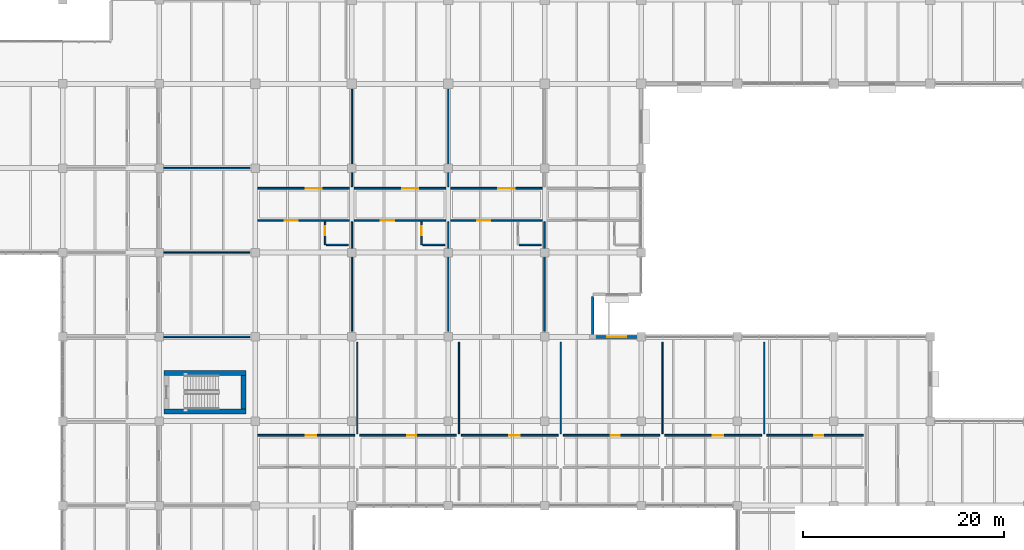
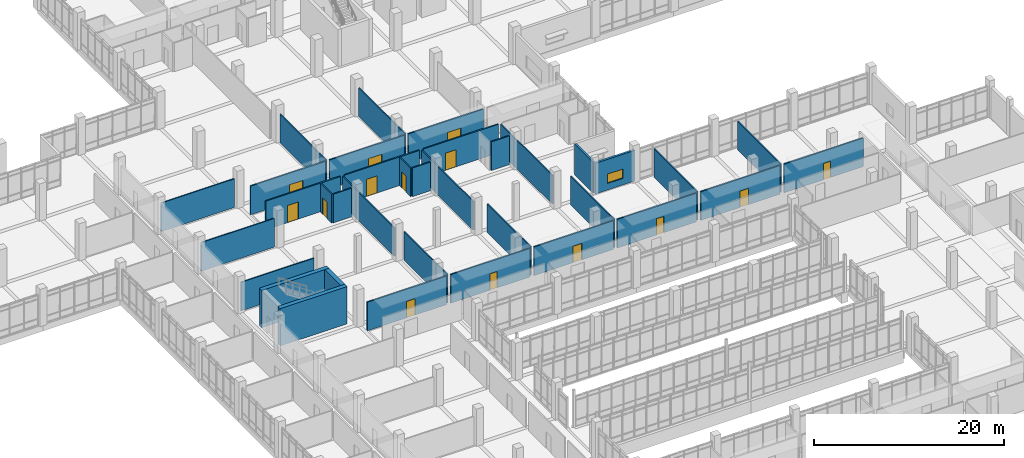
# One storey, part 130 of 152: 35 walls, 14 doors, 1 window, 15 openings.
"""IFC4 building model written with IfcOpenShell, lengths in metres."""

from ifc_helpers import new_model, si_unit, direction, frame, frame_2d, origin, place, context, subcontext, project, spatial, rectangle, extrude, material, layer, layer_set, type_object, element, fill, save


model = new_model("IFC4")

# Units and contexts
model_context = context("Model", 3, precision=1e-05, world=origin(), true_north=direction((0.0, 1.0)))
body_context = subcontext(model_context, "Body", "Model", "MODEL_VIEW")
ifc_project = project(units=[si_unit("LENGTHUNIT", "METRE"), si_unit("AREAUNIT", "SQUARE_METRE"), si_unit("VOLUMEUNIT", "CUBIC_METRE"), si_unit("PLANEANGLEUNIT", "RADIAN"), si_unit("MASSUNIT", "GRAM", prefix="KILO")], contexts=[model_context])

# Site, building, storey
site_placement = place(None, origin())
site = spatial("IfcSite", under=ifc_project, at=site_placement, CompositionType="ELEMENT")
building_placement = place(site_placement, origin())
building = spatial("IfcBuilding", under=site, at=building_placement, Name="Oolite Switchyard Hospital", CompositionType="ELEMENT")
storey_placement = place(building_placement, frame((0.0, 0.0, 5.10009765625)))
storey = spatial("IfcBuildingStorey", under=building, at=storey_placement, Name="L01", CompositionType="ELEMENT", Elevation=5.10009765625)

# Wall
ifc_material_1 = material(Name="Precast oolitic limestone architectural concrete C40/50", Category="masonry")
ifc_layer_1 = layer(ifc_material_1, 0.260009765625)
ifc_layer_set_1 = layer_set([ifc_layer_1], Name="WAL-EXT-260")
wall_type_1 = type_object("IfcWallType", Name="WAL-EXT-260", PredefinedType="SOLIDWALL", material=ifc_layer_set_1)
wall_1_placement = place(storey_placement, frame((168.0, 79.639892578125, 0.0), z_axis=(0.0, 0.0, 1.0), x_axis=(0.0, -1.0, 0.0)))
element("IfcWall", 1, at=wall_1_placement, inside=storey, type_object=wall_type_1, Name="L01 Exterior Spandrel Wall 118", PredefinedType="SOLIDWALL", context=body_context, shape_type="SweptSolid", body=[
    extrude(rectangle(XDim=3.8798828125, YDim=0.260009765625, at=frame_2d((1.93994140625, 0.0))), origin(), (0.0, 0.0, 1.0), 3.93994140625),
])

# Wall, opening, window
ifc_layer_2 = layer(ifc_material_1, 0.280029296875)
ifc_layer_set_2 = layer_set([ifc_layer_2], Name="WAL-EXT-280")
wall_type_2 = type_object("IfcWallType", Name="WAL-EXT-280", PredefinedType="SOLIDWALL", material=ifc_layer_set_2)
wall_2_placement = place(storey_placement, frame((168.0, 75.60009765625, 0.0), z_axis=(0.0, 0.0, 1.0), x_axis=(1.0, 0.0, 0.0)))
wall_2 = element("IfcWall", 2, at=wall_2_placement, inside=storey, type_object=wall_type_2, Name="L01 Exterior Spandrel Wall 84", PredefinedType="SOLIDWALL", context=body_context, shape_type="SweptSolid", body=[
    extrude(rectangle(XDim=4.800048828125, YDim=0.280029296875, at=frame_2d((2.39990234375, 0.0))), origin(), (0.0, 0.0, 1.0), 3.93994140625),
])
opening_1_placement = place(wall_2_placement, frame((1.449951171875, 0.0, 0.85009765625)))
opening_1 = element("IfcOpeningElement", 3, at=opening_1_placement, cuts=wall_2, Name="Opening WN-0029", PredefinedType="OPENING", context=body_context, shape_type="SweptSolid", body=[
    extrude(rectangle(XDim=1.89990234375, YDim=1.199951171875, at=frame_2d((0.949951171875, 0.60009765625))), frame((0.0, 0.14990234375, 0.0), z_axis=(0.0, -1.0, 0.0), x_axis=(1.0, 0.0, 0.0)), (0.0, 0.0, 1.0), 0.300048828125),
])
ifc_material_2 = material(Name="Thermally broken aluminum frame with laminated impact glazing", Category="aluminium")
window_type = type_object("IfcWindowType", Name="WIN-IMP-190X120", PartitioningType="SINGLE_PANEL", PredefinedType="WINDOW", material=ifc_material_2)
window_placement = place(opening_1_placement, origin())
window = element("IfcWindow", 4, at=window_placement, inside=storey, type_object=window_type, Name="L01 Hurricane Impact Window WN-0029", OverallHeight=1.199951171875, OverallWidth=1.89990234375, PartitioningType="SINGLE_PANEL", PredefinedType="WINDOW", context=body_context, shape_type="SweptSolid", body=[
    extrude(rectangle(XDim=1.89990234375, YDim=1.199951171875, at=frame_2d((0.949951171875, 0.60009765625))), frame((0.0, 0.030029296875, 0.0), z_axis=(0.0, -1.0, 0.0), x_axis=(1.0, 0.0, 0.0)), (0.0, 0.0, 1.0), 0.06005859375),
])
fill(opening_1, window)

# Walls
ifc_material_3 = material(Name="Moisture-resistant gypsum board on steel studs", Category="steel")
ifc_layer_3 = layer(ifc_material_3, 0.135009765625)
ifc_layer_set_3 = layer_set([ifc_layer_3], Name="WAL-PART-135")
wall_type_3 = type_object("IfcWallType", Name="WAL-PART-135", PredefinedType="PARTITIONING", material=ifc_layer_set_3)
for number, where, z_axis, x_axis, name in (
    (5, (124.949951171875, 75.60009765625, 0.0), (0.0, 0.0, 1.0), (1.0, 0.0, 0.0), "L01 Interior Partition 294"),
    (6, (124.949951171875, 84.0, 0.0), (0.0, 0.0, 1.0), (1.0, 0.0, 0.0), "L01 Interior Partition 298"),
    (7, (124.949951171875, 92.39990234375, 0.0), (0.0, 0.0, 1.0), (1.0, 0.0, 0.0), "L01 Interior Partition 302"),
):
    element("IfcWall", number, at=place(storey_placement, frame(where, z_axis=z_axis, x_axis=x_axis)), inside=storey, type_object=wall_type_3, Name=name, PredefinedType="PARTITIONING", context=body_context, shape_type="SweptSolid", body=[
        extrude(rectangle(XDim=8.900146484375, YDim=0.135009765625, at=frame_2d((4.4501953125, 0.0))), origin(), (0.0, 0.0, 1.0), 3.679931640625),
    ])
wall_3_placement = place(storey_placement, frame((144.0, 76.14990234375, 0.0), z_axis=(0.0, 0.0, 1.0), x_axis=(0.0, 1.0, 0.0)))
element("IfcWall", 8, at=wall_3_placement, inside=storey, type_object=wall_type_3, Name="L01 Interior Partition 310", PredefinedType="PARTITIONING", context=body_context, shape_type="SweptSolid", body=[
    extrude(rectangle(XDim=10.900146484375, YDim=0.135009765625, at=frame_2d((5.4501953125, 0.0))), origin(), (0.0, 0.0, 1.0), 3.679931640625),
])
wall_4_placement = place(storey_placement, frame((144.0, 90.550048828125, 0.0), z_axis=(0.0, 0.0, 1.0), x_axis=(0.0, 1.0, 0.0)))
element("IfcWall", 9, at=wall_4_placement, inside=storey, type_object=wall_type_3, Name="L01 Interior Partition 312", PredefinedType="PARTITIONING", context=body_context, shape_type="SweptSolid", body=[
    extrude(rectangle(XDim=9.699951171875, YDim=0.135009765625, at=frame_2d((4.85009765625, 0.0))), origin(), (0.0, 0.0, 1.0), 3.679931640625),
])
wall_5_placement = place(storey_placement, frame((153.60009765625, 76.14990234375, 0.0), z_axis=(0.0, 0.0, 1.0), x_axis=(0.0, 1.0, 0.0)))
element("IfcWall", 10, at=wall_5_placement, inside=storey, type_object=wall_type_3, Name="L01 Interior Partition 316", PredefinedType="PARTITIONING", context=body_context, shape_type="SweptSolid", body=[
    extrude(rectangle(XDim=10.900146484375, YDim=0.135009765625, at=frame_2d((5.4501953125, 0.0))), origin(), (0.0, 0.0, 1.0), 3.679931640625),
])
wall_6_placement = place(storey_placement, frame((153.60009765625, 90.550048828125, 0.0), z_axis=(0.0, 0.0, 1.0), x_axis=(0.0, 1.0, 0.0)))
element("IfcWall", 11, at=wall_6_placement, inside=storey, type_object=wall_type_3, Name="L01 Interior Partition 318", PredefinedType="PARTITIONING", context=body_context, shape_type="SweptSolid", body=[
    extrude(rectangle(XDim=9.699951171875, YDim=0.135009765625, at=frame_2d((4.85009765625, 0.0))), origin(), (0.0, 0.0, 1.0), 3.679931640625),
])
wall_7_placement = place(storey_placement, frame((163.199951171875, 76.14990234375, 0.0), z_axis=(0.0, 0.0, 1.0), x_axis=(0.0, 1.0, 0.0)))
element("IfcWall", 12, at=wall_7_placement, inside=storey, type_object=wall_type_3, Name="L01 Interior Partition 322", PredefinedType="PARTITIONING", context=body_context, shape_type="SweptSolid", body=[
    extrude(rectangle(XDim=10.900146484375, YDim=0.135009765625, at=frame_2d((5.4501953125, 0.0))), origin(), (0.0, 0.0, 1.0), 3.679931640625),
])
for number, where, z_axis, x_axis, name in (
    (13, (144.532958984375, 65.949951171875, 0.0), (0.0, 0.0, 1.0), (0.0, 1.0, 0.0), "L01 Interior Partition 392"),
    (14, (154.666015625, 65.949951171875, 0.0), (0.0, 0.0, 1.0), (0.0, 1.0, 0.0), "L01 Interior Partition 396"),
    (15, (164.799072265625, 65.949951171875, 0.0), (0.0, 0.0, 1.0), (0.0, 1.0, 0.0), "L01 Interior Partition 400"),
    (16, (174.931884765625, 65.949951171875, 0.0), (0.0, 0.0, 1.0), (0.0, 1.0, 0.0), "L01 Interior Partition 404"),
    (17, (185.06494140625, 65.949951171875, 0.0), (0.0, 0.0, 1.0), (0.0, 1.0, 0.0), "L01 Interior Partition 408"),
):
    element("IfcWall", number, at=place(storey_placement, frame(where, z_axis=z_axis, x_axis=x_axis)), inside=storey, type_object=wall_type_3, Name=name, PredefinedType="PARTITIONING", context=body_context, shape_type="SweptSolid", body=[
        extrude(rectangle(XDim=9.10009765625, YDim=0.135009765625, at=frame_2d((4.550048828125, 0.0))), origin(), (0.0, 0.0, 1.0), 3.679931640625),
    ])

# Wall, opening, door
ifc_layer_4 = layer(ifc_material_3, 0.14990234375)
ifc_layer_set_4 = layer_set([ifc_layer_4], Name="WAL-PART-150")
wall_type_4 = type_object("IfcWallType", Name="WAL-PART-150", PredefinedType="PARTITIONING", material=ifc_layer_set_4)
wall_8_placement = place(storey_placement, frame((141.35009765625, 84.75, 0.0), z_axis=(0.0, 0.0, 1.0), x_axis=(0.0, 1.0, 0.0)))
wall_8 = element("IfcWall", 18, at=wall_8_placement, inside=storey, type_object=wall_type_4, Name="L01 Interior Partition 304", PredefinedType="PARTITIONING", context=body_context, shape_type="SweptSolid", body=[
    extrude(rectangle(XDim=2.300048828125, YDim=0.14990234375, at=frame_2d((1.14990234375, 0.0))), origin(), (0.0, 0.0, 1.0), 3.679931640625),
])
opening_2_placement = place(wall_8_placement, frame((0.949951171875, 0.0, 0.0)))
opening_2 = element("IfcOpeningElement", 19, at=opening_2_placement, cuts=wall_8, Name="Opening D-0176", PredefinedType="OPENING", context=body_context, shape_type="SweptSolid", body=[
    extrude(rectangle(XDim=0.89990234375, YDim=2.10009765625, at=frame_2d((0.449951171875, 1.050048828125))), frame((0.0, 0.0849609375, 0.0), z_axis=(0.0, -1.0, 0.0), x_axis=(1.0, 0.0, 0.0)), (0.0, 0.0, 1.0), 0.169921875),
])
ifc_material_4 = material(Name="Solid-core antimicrobial hardwood leaf in steel frame", Category="steel")
door_type_1 = type_object("IfcDoorType", Name="DR-BATH-090X210", OperationType="NOTDEFINED", PredefinedType="DOOR", material=ifc_material_4)
door_1_placement = place(opening_2_placement, origin())
door_1 = element("IfcDoor", 20, at=door_1_placement, inside=storey, type_object=door_type_1, Name="L01 Interior Door D-0176", OperationType="SINGLE_SWING_RIGHT", OverallHeight=2.10009765625, OverallWidth=0.89990234375, PredefinedType="DOOR", context=body_context, shape_type="SweptSolid", body=[
    extrude(rectangle(XDim=0.89990234375, YDim=2.10009765625, at=frame_2d((0.449951171875, 1.050048828125))), frame((0.0, 0.02490234375, 0.0), z_axis=(0.0, -1.0, 0.0), x_axis=(1.0, 0.0, 0.0)), (0.0, 0.0, 1.0), 0.050048828125),
])
fill(opening_2, door_1)

# Wall
wall_9_placement = place(storey_placement, frame((141.449951171875, 84.75, 0.0), z_axis=(0.0, 0.0, 1.0), x_axis=(1.0, 0.0, 0.0)))
element("IfcWall", 21, at=wall_9_placement, inside=storey, type_object=wall_type_4, Name="L01 Interior Partition 305", PredefinedType="PARTITIONING", context=body_context, shape_type="SweptSolid", body=[
    extrude(rectangle(XDim=2.199951171875, YDim=0.14990234375, at=frame_2d((1.10009765625, 0.0))), origin(), (0.0, 0.0, 1.0), 3.679931640625),
])

# Wall, opening, door
wall_10_placement = place(storey_placement, frame((150.949951171875, 84.75, 0.0), z_axis=(0.0, 0.0, 1.0), x_axis=(0.0, 1.0, 0.0)))
wall_10 = element("IfcWall", 22, at=wall_10_placement, inside=storey, type_object=wall_type_4, Name="L01 Interior Partition 308", PredefinedType="PARTITIONING", context=body_context, shape_type="SweptSolid", body=[
    extrude(rectangle(XDim=2.300048828125, YDim=0.14990234375, at=frame_2d((1.14990234375, 0.0))), origin(), (0.0, 0.0, 1.0), 3.679931640625),
])
opening_3_placement = place(wall_10_placement, frame((0.949951171875, 0.0, 0.0)))
opening_3 = element("IfcOpeningElement", 23, at=opening_3_placement, cuts=wall_10, Name="Opening D-0179", PredefinedType="OPENING", context=body_context, shape_type="SweptSolid", body=[
    extrude(rectangle(XDim=0.89990234375, YDim=2.10009765625, at=frame_2d((0.449951171875, 1.050048828125))), frame((0.0, 0.0849609375, 0.0), z_axis=(0.0, -1.0, 0.0), x_axis=(1.0, 0.0, 0.0)), (0.0, 0.0, 1.0), 0.169921875),
])
door_2_placement = place(opening_3_placement, origin())
door_2 = element("IfcDoor", 24, at=door_2_placement, inside=storey, type_object=door_type_1, Name="L01 Interior Door D-0179", OperationType="SINGLE_SWING_LEFT", OverallHeight=2.10009765625, OverallWidth=0.89990234375, PredefinedType="DOOR", context=body_context, shape_type="SweptSolid", body=[
    extrude(rectangle(XDim=0.89990234375, YDim=2.10009765625, at=frame_2d((0.449951171875, 1.050048828125))), frame((0.0, 0.02490234375, 0.0), z_axis=(0.0, -1.0, 0.0), x_axis=(1.0, 0.0, 0.0)), (0.0, 0.0, 1.0), 0.050048828125),
])
fill(opening_3, door_2)

# Walls
wall_11_placement = place(storey_placement, frame((151.050048828125, 84.75, 0.0), z_axis=(0.0, 0.0, 1.0), x_axis=(1.0, 0.0, 0.0)))
element("IfcWall", 25, at=wall_11_placement, inside=storey, type_object=wall_type_4, Name="L01 Interior Partition 309", PredefinedType="PARTITIONING", context=body_context, shape_type="SweptSolid", body=[
    extrude(rectangle(XDim=2.199951171875, YDim=0.14990234375, at=frame_2d((1.10009765625, 0.0))), origin(), (0.0, 0.0, 1.0), 3.679931640625),
])
wall_12_placement = place(storey_placement, frame((160.64990234375, 84.75, 0.0), z_axis=(0.0, 0.0, 1.0), x_axis=(1.0, 0.0, 0.0)))
element("IfcWall", 26, at=wall_12_placement, inside=storey, type_object=wall_type_4, Name="L01 Interior Partition 315", PredefinedType="PARTITIONING", context=body_context, shape_type="SweptSolid", body=[
    extrude(rectangle(XDim=2.2001953125, YDim=0.14990234375, at=frame_2d((1.10009765625, 0.0))), origin(), (0.0, 0.0, 1.0), 3.679931640625),
])

# Wall, opening, door
ifc_layer_5 = layer(ifc_material_3, 0.1650390625)
ifc_layer_set_5 = layer_set([ifc_layer_5], Name="WAL-PART-165")
wall_type_5 = type_object("IfcWallType", Name="WAL-PART-165", PredefinedType="PARTITIONING", material=ifc_layer_set_5)
wall_13_placement = place(storey_placement, frame((134.64990234375, 87.199951171875, 0.0), z_axis=(0.0, 0.0, 1.0), x_axis=(1.0, 0.0, 0.0)))
wall_13 = element("IfcWall", 27, at=wall_13_placement, inside=storey, type_object=wall_type_5, Name="L01 Interior Partition 303", PredefinedType="PARTITIONING", context=body_context, shape_type="SweptSolid", body=[
    extrude(rectangle(XDim=9.10009765625, YDim=0.1650390625, at=frame_2d((4.550048828125, 0.0))), origin(), (0.0, 0.0, 1.0), 3.679931640625),
])
opening_4_placement = place(wall_13_placement, frame((2.64990234375, 0.0, 0.0)))
opening_4 = element("IfcOpeningElement", 28, at=opening_4_placement, cuts=wall_13, Name="Opening D-0175", PredefinedType="OPENING", context=body_context, shape_type="SweptSolid", body=[
    extrude(rectangle(XDim=1.300048828125, YDim=2.199951171875, at=frame_2d((0.64990234375, 1.10009765625))), frame((0.0, 0.092529296875, 0.0), z_axis=(0.0, -1.0, 0.0), x_axis=(1.0, 0.0, 0.0)), (0.0, 0.0, 1.0), 0.18505859375),
])
door_type_2 = type_object("IfcDoorType", Name="DR-WARD-130X220", OperationType="NOTDEFINED", PredefinedType="DOOR", material=ifc_material_4)
door_3_placement = place(opening_4_placement, origin())
door_3 = element("IfcDoor", 29, at=door_3_placement, inside=storey, type_object=door_type_2, Name="L01 Interior Door D-0175", OperationType="SINGLE_SWING_LEFT", OverallHeight=2.199951171875, OverallWidth=1.300048828125, PredefinedType="DOOR", context=body_context, shape_type="SweptSolid", body=[
    extrude(rectangle(XDim=1.300048828125, YDim=2.199951171875, at=frame_2d((0.64990234375, 1.10009765625))), frame((0.0, 0.02490234375, 0.0), z_axis=(0.0, -1.0, 0.0), x_axis=(1.0, 0.0, 0.0)), (0.0, 0.0, 1.0), 0.050048828125),
])
fill(opening_4, door_3)

wall_14_placement = place(storey_placement, frame((134.64990234375, 90.39990234375, 0.0), z_axis=(0.0, 0.0, 1.0), x_axis=(1.0, 0.0, 0.0)))
wall_14 = element("IfcWall", 30, at=wall_14_placement, inside=storey, type_object=wall_type_5, Name="L01 Interior Partition 306", PredefinedType="PARTITIONING", context=body_context, shape_type="SweptSolid", body=[
    extrude(rectangle(XDim=9.10009765625, YDim=0.1650390625, at=frame_2d((4.550048828125, 0.0))), origin(), (0.0, 0.0, 1.0), 3.679931640625),
])
opening_5_placement = place(wall_14_placement, frame((4.75, 0.0, 0.0)))
opening_5 = element("IfcOpeningElement", 31, at=opening_5_placement, cuts=wall_14, Name="Opening D-0177", PredefinedType="OPENING", context=body_context, shape_type="SweptSolid", body=[
    extrude(rectangle(XDim=1.60009765625, YDim=2.199951171875, at=frame_2d((0.800048828125, 1.10009765625))), frame((0.0, 0.092529296875, 0.0), z_axis=(0.0, -1.0, 0.0), x_axis=(1.0, 0.0, 0.0)), (0.0, 0.0, 1.0), 0.18505859375),
])
ifc_material_5 = material(Name="Hollow metal fire-rated steel door assembly", Category="steel")
door_type_3 = type_object("IfcDoorType", Name="DR-DBL-160X220", OperationType="NOTDEFINED", PredefinedType="DOOR", material=ifc_material_5)
door_4_placement = place(opening_5_placement, origin())
door_4 = element("IfcDoor", 32, at=door_4_placement, inside=storey, type_object=door_type_3, Name="L01 Interior Door D-0177", OperationType="DOUBLE_DOOR_SINGLE_SWING", OverallHeight=2.199951171875, OverallWidth=1.60009765625, PredefinedType="DOOR", context=body_context, shape_type="SweptSolid", body=[
    extrude(rectangle(XDim=1.60009765625, YDim=2.199951171875, at=frame_2d((0.800048828125, 1.10009765625))), frame((0.0, 0.02490234375, 0.0), z_axis=(0.0, -1.0, 0.0), x_axis=(1.0, 0.0, 0.0)), (0.0, 0.0, 1.0), 0.050048828125),
])
fill(opening_5, door_4)

wall_15_placement = place(storey_placement, frame((144.25, 87.199951171875, 0.0), z_axis=(0.0, 0.0, 1.0), x_axis=(1.0, 0.0, 0.0)))
wall_15 = element("IfcWall", 33, at=wall_15_placement, inside=storey, type_object=wall_type_5, Name="L01 Interior Partition 307", PredefinedType="PARTITIONING", context=body_context, shape_type="SweptSolid", body=[
    extrude(rectangle(XDim=9.10009765625, YDim=0.1650390625, at=frame_2d((4.550048828125, 0.0))), origin(), (0.0, 0.0, 1.0), 3.679931640625),
])
opening_6_placement = place(wall_15_placement, frame((2.64990234375, 0.0, 0.0)))
opening_6 = element("IfcOpeningElement", 34, at=opening_6_placement, cuts=wall_15, Name="Opening D-0178", PredefinedType="OPENING", context=body_context, shape_type="SweptSolid", body=[
    extrude(rectangle(XDim=1.300048828125, YDim=2.199951171875, at=frame_2d((0.64990234375, 1.10009765625))), frame((0.0, 0.092529296875, 0.0), z_axis=(0.0, -1.0, 0.0), x_axis=(1.0, 0.0, 0.0)), (0.0, 0.0, 1.0), 0.18505859375),
])
door_5_placement = place(opening_6_placement, origin())
door_5 = element("IfcDoor", 35, at=door_5_placement, inside=storey, type_object=door_type_2, Name="L01 Interior Door D-0178", OperationType="SINGLE_SWING_RIGHT", OverallHeight=2.199951171875, OverallWidth=1.300048828125, PredefinedType="DOOR", context=body_context, shape_type="SweptSolid", body=[
    extrude(rectangle(XDim=1.300048828125, YDim=2.199951171875, at=frame_2d((0.64990234375, 1.10009765625))), frame((0.0, 0.02490234375, 0.0), z_axis=(0.0, -1.0, 0.0), x_axis=(1.0, 0.0, 0.0)), (0.0, 0.0, 1.0), 0.050048828125),
])
fill(opening_6, door_5)

wall_16_placement = place(storey_placement, frame((144.25, 90.39990234375, 0.0), z_axis=(0.0, 0.0, 1.0), x_axis=(1.0, 0.0, 0.0)))
wall_16 = element("IfcWall", 36, at=wall_16_placement, inside=storey, type_object=wall_type_5, Name="L01 Interior Partition 311", PredefinedType="PARTITIONING", context=body_context, shape_type="SweptSolid", body=[
    extrude(rectangle(XDim=9.10009765625, YDim=0.1650390625, at=frame_2d((4.550048828125, 0.0))), origin(), (0.0, 0.0, 1.0), 3.679931640625),
])
opening_7_placement = place(wall_16_placement, frame((4.75, 0.0, 0.0)))
opening_7 = element("IfcOpeningElement", 37, at=opening_7_placement, cuts=wall_16, Name="Opening D-0180", PredefinedType="OPENING", context=body_context, shape_type="SweptSolid", body=[
    extrude(rectangle(XDim=1.60009765625, YDim=2.199951171875, at=frame_2d((0.800048828125, 1.10009765625))), frame((0.0, 0.092529296875, 0.0), z_axis=(0.0, -1.0, 0.0), x_axis=(1.0, 0.0, 0.0)), (0.0, 0.0, 1.0), 0.18505859375),
])
door_6_placement = place(opening_7_placement, origin())
door_6 = element("IfcDoor", 38, at=door_6_placement, inside=storey, type_object=door_type_3, Name="L01 Interior Door D-0180", OperationType="DOUBLE_DOOR_SINGLE_SWING", OverallHeight=2.199951171875, OverallWidth=1.60009765625, PredefinedType="DOOR", context=body_context, shape_type="SweptSolid", body=[
    extrude(rectangle(XDim=1.60009765625, YDim=2.199951171875, at=frame_2d((0.800048828125, 1.10009765625))), frame((0.0, 0.02490234375, 0.0), z_axis=(0.0, -1.0, 0.0), x_axis=(1.0, 0.0, 0.0)), (0.0, 0.0, 1.0), 0.050048828125),
])
fill(opening_7, door_6)

wall_17_placement = place(storey_placement, frame((153.85009765625, 87.199951171875, 0.0), z_axis=(0.0, 0.0, 1.0), x_axis=(1.0, 0.0, 0.0)))
wall_17 = element("IfcWall", 39, at=wall_17_placement, inside=storey, type_object=wall_type_5, Name="L01 Interior Partition 313", PredefinedType="PARTITIONING", context=body_context, shape_type="SweptSolid", body=[
    extrude(rectangle(XDim=9.099853515625, YDim=0.1650390625, at=frame_2d((4.5498046875, 0.0))), origin(), (0.0, 0.0, 1.0), 3.679931640625),
])
opening_8_placement = place(wall_17_placement, frame((2.64990234375, 0.0, 0.0)))
opening_8 = element("IfcOpeningElement", 40, at=opening_8_placement, cuts=wall_17, Name="Opening D-0181", PredefinedType="OPENING", context=body_context, shape_type="SweptSolid", body=[
    extrude(rectangle(XDim=1.300048828125, YDim=2.199951171875, at=frame_2d((0.64990234375, 1.10009765625))), frame((0.0, 0.092529296875, 0.0), z_axis=(0.0, -1.0, 0.0), x_axis=(1.0, 0.0, 0.0)), (0.0, 0.0, 1.0), 0.18505859375),
])
door_7_placement = place(opening_8_placement, origin())
door_7 = element("IfcDoor", 41, at=door_7_placement, inside=storey, type_object=door_type_2, Name="L01 Interior Door D-0181", OperationType="SINGLE_SWING_LEFT", OverallHeight=2.199951171875, OverallWidth=1.300048828125, PredefinedType="DOOR", context=body_context, shape_type="SweptSolid", body=[
    extrude(rectangle(XDim=1.300048828125, YDim=2.199951171875, at=frame_2d((0.64990234375, 1.10009765625))), frame((0.0, 0.02490234375, 0.0), z_axis=(0.0, -1.0, 0.0), x_axis=(1.0, 0.0, 0.0)), (0.0, 0.0, 1.0), 0.050048828125),
])
fill(opening_8, door_7)

wall_18_placement = place(storey_placement, frame((153.85009765625, 90.39990234375, 0.0), z_axis=(0.0, 0.0, 1.0), x_axis=(1.0, 0.0, 0.0)))
wall_18 = element("IfcWall", 42, at=wall_18_placement, inside=storey, type_object=wall_type_5, Name="L01 Interior Partition 317", PredefinedType="PARTITIONING", context=body_context, shape_type="SweptSolid", body=[
    extrude(rectangle(XDim=9.099853515625, YDim=0.1650390625, at=frame_2d((4.5498046875, 0.0))), origin(), (0.0, 0.0, 1.0), 3.679931640625),
])
opening_9_placement = place(wall_18_placement, frame((4.75, 0.0, 0.0)))
opening_9 = element("IfcOpeningElement", 43, at=opening_9_placement, cuts=wall_18, Name="Opening D-0183", PredefinedType="OPENING", context=body_context, shape_type="SweptSolid", body=[
    extrude(rectangle(XDim=1.60009765625, YDim=2.199951171875, at=frame_2d((0.800048828125, 1.10009765625))), frame((0.0, 0.092529296875, 0.0), z_axis=(0.0, -1.0, 0.0), x_axis=(1.0, 0.0, 0.0)), (0.0, 0.0, 1.0), 0.18505859375),
])
door_8_placement = place(opening_9_placement, origin())
door_8 = element("IfcDoor", 44, at=door_8_placement, inside=storey, type_object=door_type_3, Name="L01 Interior Door D-0183", OperationType="DOUBLE_DOOR_SINGLE_SWING", OverallHeight=2.199951171875, OverallWidth=1.60009765625, PredefinedType="DOOR", context=body_context, shape_type="SweptSolid", body=[
    extrude(rectangle(XDim=1.60009765625, YDim=2.199951171875, at=frame_2d((0.800048828125, 1.10009765625))), frame((0.0, 0.02490234375, 0.0), z_axis=(0.0, -1.0, 0.0), x_axis=(1.0, 0.0, 0.0)), (0.0, 0.0, 1.0), 0.050048828125),
])
fill(opening_9, door_8)

wall_19_placement = place(storey_placement, frame((134.64990234375, 65.800048828125, 0.0), z_axis=(0.0, 0.0, 1.0), x_axis=(1.0, 0.0, 0.0)))
wall_19 = element("IfcWall", 45, at=wall_19_placement, inside=storey, type_object=wall_type_5, Name="L01 Interior Partition 388", PredefinedType="PARTITIONING", context=body_context, shape_type="SweptSolid", body=[
    extrude(rectangle(XDim=9.633056640625, YDim=0.1650390625, at=frame_2d((4.81640625, 0.0))), origin(), (0.0, 0.0, 1.0), 3.679931640625),
])
opening_10_placement = place(wall_19_placement, frame((4.75, 0.0, 0.0)))
opening_10 = element("IfcOpeningElement", 46, at=opening_10_placement, cuts=wall_19, Name="Opening D-0222", PredefinedType="OPENING", context=body_context, shape_type="SweptSolid", body=[
    extrude(rectangle(XDim=1.050048828125, YDim=2.10009765625, at=frame_2d((0.52490234375, 1.050048828125))), frame((0.0, 0.092529296875, 0.0), z_axis=(0.0, -1.0, 0.0), x_axis=(1.0, 0.0, 0.0)), (0.0, 0.0, 1.0), 0.18505859375),
])
door_type_4 = type_object("IfcDoorType", Name="DR-EXAM-105X210", OperationType="NOTDEFINED", PredefinedType="DOOR", material=ifc_material_4)
door_9_placement = place(opening_10_placement, origin())
door_9 = element("IfcDoor", 47, at=door_9_placement, inside=storey, type_object=door_type_4, Name="L01 Interior Door D-0222", OperationType="SINGLE_SWING_RIGHT", OverallHeight=2.10009765625, OverallWidth=1.050048828125, PredefinedType="DOOR", context=body_context, shape_type="SweptSolid", body=[
    extrude(rectangle(XDim=1.050048828125, YDim=2.10009765625, at=frame_2d((0.52490234375, 1.050048828125))), frame((0.0, 0.02490234375, 0.0), z_axis=(0.0, -1.0, 0.0), x_axis=(1.0, 0.0, 0.0)), (0.0, 0.0, 1.0), 0.050048828125),
])
fill(opening_10, door_9)

wall_20_placement = place(storey_placement, frame((144.782958984375, 65.800048828125, 0.0), z_axis=(0.0, 0.0, 1.0), x_axis=(1.0, 0.0, 0.0)))
wall_20 = element("IfcWall", 48, at=wall_20_placement, inside=storey, type_object=wall_type_5, Name="L01 Interior Partition 391", PredefinedType="PARTITIONING", context=body_context, shape_type="SweptSolid", body=[
    extrude(rectangle(XDim=9.633056640625, YDim=0.1650390625, at=frame_2d((4.81640625, 0.0))), origin(), (0.0, 0.0, 1.0), 3.679931640625),
])
opening_11_placement = place(wall_20_placement, frame((4.75, 0.0, 0.0)))
opening_11 = element("IfcOpeningElement", 49, at=opening_11_placement, cuts=wall_20, Name="Opening D-0224", PredefinedType="OPENING", context=body_context, shape_type="SweptSolid", body=[
    extrude(rectangle(XDim=0.89990234375, YDim=2.10009765625, at=frame_2d((0.449951171875, 1.050048828125))), frame((0.0, 0.092529296875, 0.0), z_axis=(0.0, -1.0, 0.0), x_axis=(1.0, 0.0, 0.0)), (0.0, 0.0, 1.0), 0.18505859375),
])
door_10_placement = place(opening_11_placement, origin())
door_10 = element("IfcDoor", 50, at=door_10_placement, inside=storey, type_object=door_type_1, Name="L01 Interior Door D-0224", OperationType="SINGLE_SWING_LEFT", OverallHeight=2.10009765625, OverallWidth=0.89990234375, PredefinedType="DOOR", context=body_context, shape_type="SweptSolid", body=[
    extrude(rectangle(XDim=0.89990234375, YDim=2.10009765625, at=frame_2d((0.449951171875, 1.050048828125))), frame((0.0, 0.02490234375, 0.0), z_axis=(0.0, -1.0, 0.0), x_axis=(1.0, 0.0, 0.0)), (0.0, 0.0, 1.0), 0.050048828125),
])
fill(opening_11, door_10)

wall_21_placement = place(storey_placement, frame((154.916015625, 65.800048828125, 0.0), z_axis=(0.0, 0.0, 1.0), x_axis=(1.0, 0.0, 0.0)))
wall_21 = element("IfcWall", 51, at=wall_21_placement, inside=storey, type_object=wall_type_5, Name="L01 Interior Partition 395", PredefinedType="PARTITIONING", context=body_context, shape_type="SweptSolid", body=[
    extrude(rectangle(XDim=9.633056640625, YDim=0.1650390625, at=frame_2d((4.81640625, 0.0))), origin(), (0.0, 0.0, 1.0), 3.679931640625),
])
opening_12_placement = place(wall_21_placement, frame((4.75, 0.0, 0.0)))
opening_12 = element("IfcOpeningElement", 52, at=opening_12_placement, cuts=wall_21, Name="Opening D-0226", PredefinedType="OPENING", context=body_context, shape_type="SweptSolid", body=[
    extrude(rectangle(XDim=1.050048828125, YDim=2.10009765625, at=frame_2d((0.52490234375, 1.050048828125))), frame((0.0, 0.092529296875, 0.0), z_axis=(0.0, -1.0, 0.0), x_axis=(1.0, 0.0, 0.0)), (0.0, 0.0, 1.0), 0.18505859375),
])
door_11_placement = place(opening_12_placement, origin())
door_11 = element("IfcDoor", 53, at=door_11_placement, inside=storey, type_object=door_type_4, Name="L01 Interior Door D-0226", OperationType="SINGLE_SWING_RIGHT", OverallHeight=2.10009765625, OverallWidth=1.050048828125, PredefinedType="DOOR", context=body_context, shape_type="SweptSolid", body=[
    extrude(rectangle(XDim=1.050048828125, YDim=2.10009765625, at=frame_2d((0.52490234375, 1.050048828125))), frame((0.0, 0.02490234375, 0.0), z_axis=(0.0, -1.0, 0.0), x_axis=(1.0, 0.0, 0.0)), (0.0, 0.0, 1.0), 0.050048828125),
])
fill(opening_12, door_11)

wall_22_placement = place(storey_placement, frame((165.049072265625, 65.800048828125, 0.0), z_axis=(0.0, 0.0, 1.0), x_axis=(1.0, 0.0, 0.0)))
wall_22 = element("IfcWall", 54, at=wall_22_placement, inside=storey, type_object=wall_type_5, Name="L01 Interior Partition 399", PredefinedType="PARTITIONING", context=body_context, shape_type="SweptSolid", body=[
    extrude(rectangle(XDim=9.6328125, YDim=0.1650390625, at=frame_2d((4.81640625, 0.0))), origin(), (0.0, 0.0, 1.0), 3.679931640625),
])
opening_13_placement = place(wall_22_placement, frame((4.75, 0.0, 0.0)))
opening_13 = element("IfcOpeningElement", 55, at=opening_13_placement, cuts=wall_22, Name="Opening D-0228", PredefinedType="OPENING", context=body_context, shape_type="SweptSolid", body=[
    extrude(rectangle(XDim=0.89990234375, YDim=2.10009765625, at=frame_2d((0.449951171875, 1.050048828125))), frame((0.0, 0.092529296875, 0.0), z_axis=(0.0, -1.0, 0.0), x_axis=(1.0, 0.0, 0.0)), (0.0, 0.0, 1.0), 0.18505859375),
])
door_12_placement = place(opening_13_placement, origin())
door_12 = element("IfcDoor", 56, at=door_12_placement, inside=storey, type_object=door_type_1, Name="L01 Interior Door D-0228", OperationType="SINGLE_SWING_LEFT", OverallHeight=2.10009765625, OverallWidth=0.89990234375, PredefinedType="DOOR", context=body_context, shape_type="SweptSolid", body=[
    extrude(rectangle(XDim=0.89990234375, YDim=2.10009765625, at=frame_2d((0.449951171875, 1.050048828125))), frame((0.0, 0.02490234375, 0.0), z_axis=(0.0, -1.0, 0.0), x_axis=(1.0, 0.0, 0.0)), (0.0, 0.0, 1.0), 0.050048828125),
])
fill(opening_13, door_12)

wall_23_placement = place(storey_placement, frame((175.181884765625, 65.800048828125, 0.0), z_axis=(0.0, 0.0, 1.0), x_axis=(1.0, 0.0, 0.0)))
wall_23 = element("IfcWall", 57, at=wall_23_placement, inside=storey, type_object=wall_type_5, Name="L01 Interior Partition 403", PredefinedType="PARTITIONING", context=body_context, shape_type="SweptSolid", body=[
    extrude(rectangle(XDim=9.633056640625, YDim=0.1650390625, at=frame_2d((4.81640625, 0.0))), origin(), (0.0, 0.0, 1.0), 3.679931640625),
])
opening_14_placement = place(wall_23_placement, frame((4.75, 0.0, 0.0)))
opening_14 = element("IfcOpeningElement", 58, at=opening_14_placement, cuts=wall_23, Name="Opening D-0230", PredefinedType="OPENING", context=body_context, shape_type="SweptSolid", body=[
    extrude(rectangle(XDim=1.050048828125, YDim=2.10009765625, at=frame_2d((0.52490234375, 1.050048828125))), frame((0.0, 0.092529296875, 0.0), z_axis=(0.0, -1.0, 0.0), x_axis=(1.0, 0.0, 0.0)), (0.0, 0.0, 1.0), 0.18505859375),
])
door_13_placement = place(opening_14_placement, origin())
door_13 = element("IfcDoor", 59, at=door_13_placement, inside=storey, type_object=door_type_4, Name="L01 Interior Door D-0230", OperationType="SINGLE_SWING_RIGHT", OverallHeight=2.10009765625, OverallWidth=1.050048828125, PredefinedType="DOOR", context=body_context, shape_type="SweptSolid", body=[
    extrude(rectangle(XDim=1.050048828125, YDim=2.10009765625, at=frame_2d((0.52490234375, 1.050048828125))), frame((0.0, 0.02490234375, 0.0), z_axis=(0.0, -1.0, 0.0), x_axis=(1.0, 0.0, 0.0)), (0.0, 0.0, 1.0), 0.050048828125),
])
fill(opening_14, door_13)

wall_24_placement = place(storey_placement, frame((185.31494140625, 65.800048828125, 0.0), z_axis=(0.0, 0.0, 1.0), x_axis=(1.0, 0.0, 0.0)))
wall_24 = element("IfcWall", 60, at=wall_24_placement, inside=storey, type_object=wall_type_5, Name="L01 Interior Partition 407", PredefinedType="PARTITIONING", context=body_context, shape_type="SweptSolid", body=[
    extrude(rectangle(XDim=9.633056640625, YDim=0.1650390625, at=frame_2d((4.81640625, 0.0))), origin(), (0.0, 0.0, 1.0), 3.679931640625),
])
opening_15_placement = place(wall_24_placement, frame((4.75, 0.0, 0.0)))
opening_15 = element("IfcOpeningElement", 61, at=opening_15_placement, cuts=wall_24, Name="Opening D-0232", PredefinedType="OPENING", context=body_context, shape_type="SweptSolid", body=[
    extrude(rectangle(XDim=0.89990234375, YDim=2.10009765625, at=frame_2d((0.449951171875, 1.050048828125))), frame((0.0, 0.092529296875, 0.0), z_axis=(0.0, -1.0, 0.0), x_axis=(1.0, 0.0, 0.0)), (0.0, 0.0, 1.0), 0.18505859375),
])
door_14_placement = place(opening_15_placement, origin())
door_14 = element("IfcDoor", 62, at=door_14_placement, inside=storey, type_object=door_type_1, Name="L01 Interior Door D-0232", OperationType="SINGLE_SWING_LEFT", OverallHeight=2.10009765625, OverallWidth=0.89990234375, PredefinedType="DOOR", context=body_context, shape_type="SweptSolid", body=[
    extrude(rectangle(XDim=0.89990234375, YDim=2.10009765625, at=frame_2d((0.449951171875, 1.050048828125))), frame((0.0, 0.02490234375, 0.0), z_axis=(0.0, -1.0, 0.0), x_axis=(1.0, 0.0, 0.0)), (0.0, 0.0, 1.0), 0.050048828125),
])
fill(opening_15, door_14)

# Walls
ifc_material_6 = material(Name="Concrete C50/60", Category="concrete")
ifc_layer_6 = layer(ifc_material_6, 0.5)
ifc_layer_set_6 = layer_set([ifc_layer_6], Name="WAL-SHR-500")
wall_type_6 = type_object("IfcWallType", Name="WAL-SHR-500", PredefinedType="SHEAR", material=ifc_layer_set_6)
wall_25_placement = place(storey_placement, frame((125.300048828125, 68.14990234375, 0.0), z_axis=(0.0, 0.0, 1.0), x_axis=(1.0, 0.0, 0.0)))
element("IfcWall", 63, at=wall_25_placement, inside=storey, type_object=wall_type_6, Name="L01 Core Shear Wall ST-10", PredefinedType="SHEAR", context=body_context, shape_type="SweptSolid", body=[
    extrude(rectangle(XDim=8.14990234375, YDim=0.5, at=frame_2d((4.074951171875, 0.0))), origin(), (0.0, 0.0, 1.0), 4.7998046875),
])
wall_26_placement = place(storey_placement, frame((133.199951171875, 68.39990234375, 0.0), z_axis=(0.0, 0.0, 1.0), x_axis=(0.0, 1.0, 0.0)))
element("IfcWall", 64, at=wall_26_placement, inside=storey, type_object=wall_type_6, Name="L01 Core Shear Wall ST-10", PredefinedType="SHEAR", context=body_context, shape_type="SweptSolid", body=[
    extrude(rectangle(XDim=3.360107421875, YDim=0.5, at=frame_2d((1.68017578125, 0.0))), origin(), (0.0, 0.0, 1.0), 4.7998046875),
])
wall_27_placement = place(storey_placement, frame((133.449951171875, 72.010009765625, 0.0), z_axis=(0.0, 0.0, 1.0), x_axis=(-1.0, 0.0, 0.0)))
element("IfcWall", 65, at=wall_27_placement, inside=storey, type_object=wall_type_6, Name="L01 Core Shear Wall ST-10", PredefinedType="SHEAR", context=body_context, shape_type="SweptSolid", body=[
    extrude(rectangle(XDim=8.14990234375, YDim=0.5, at=frame_2d((4.074951171875, 0.0))), origin(), (0.0, 0.0, 1.0), 4.7998046875),
])

save(model, "model.ifc")
